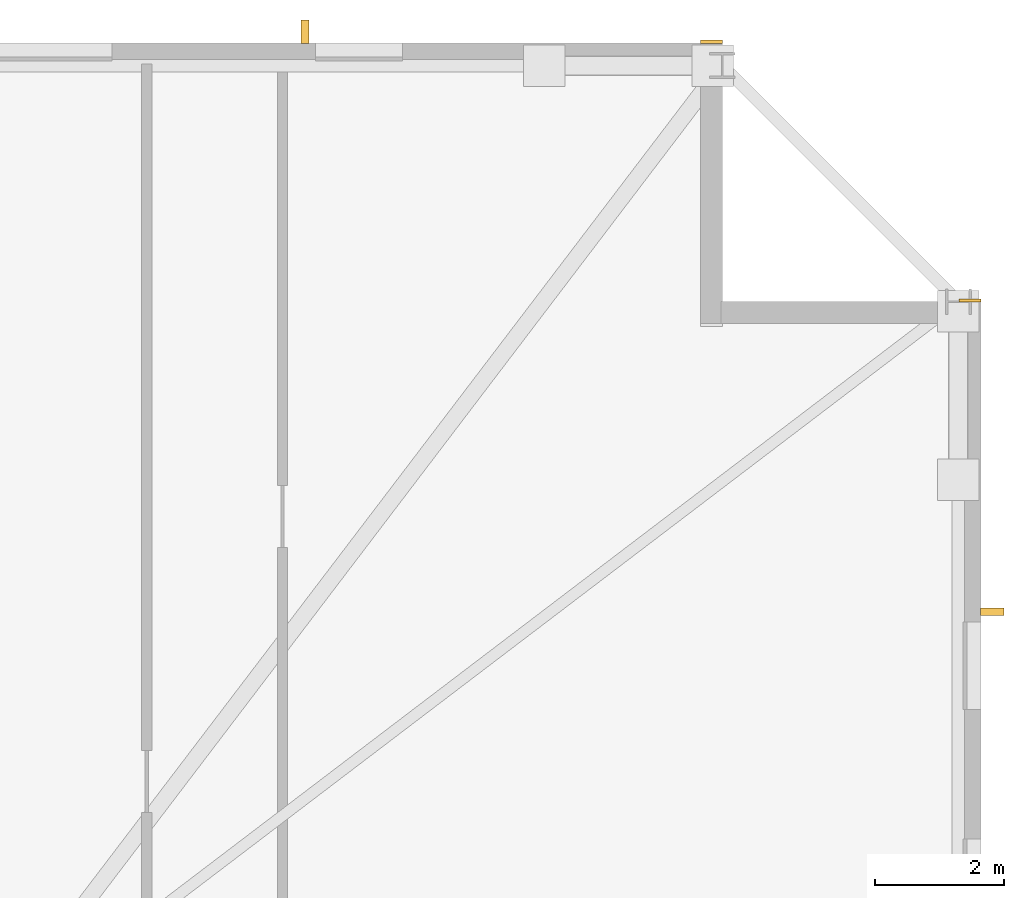
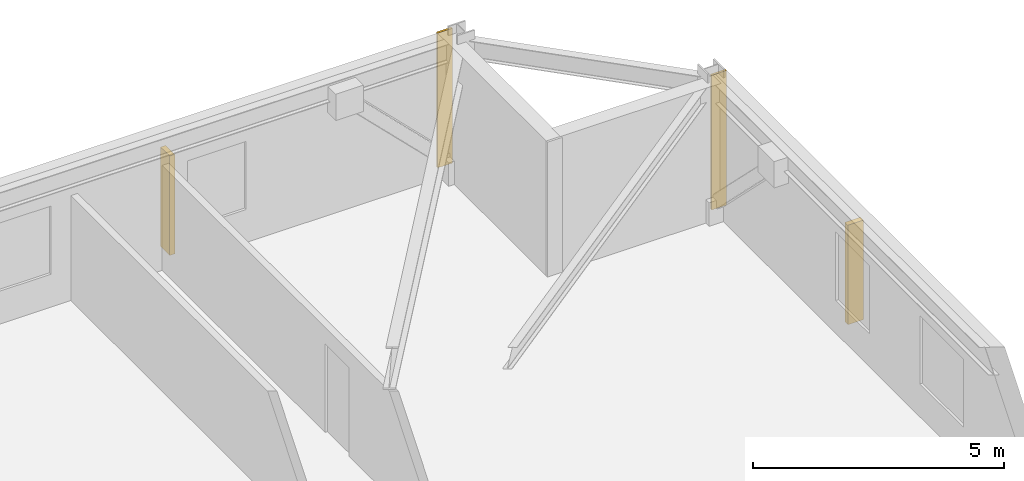
# One storey, part 11 of 11: 2 coverings, 2 shading devices.
"""IFC4 building model written with IfcOpenShell, lengths in metres."""

from ifc_helpers import new_model, si_unit, direction, frame, frame_2d, origin, origin_2d, place, context, subcontext, project, spatial, rectangle, extrude, material, layer, layer_set, type_object, element, save


model = new_model("IFC4")

# Units and contexts
model_context = context("Model", 3, precision=1e-05, world=origin(), true_north=direction((0.0, 1.0)))
body_context = subcontext(model_context, "Body", "Model", "MODEL_VIEW")
ifc_project = project(units=[si_unit("LENGTHUNIT", "METRE"), si_unit("AREAUNIT", "SQUARE_METRE"), si_unit("VOLUMEUNIT", "CUBIC_METRE"), si_unit("PLANEANGLEUNIT", "RADIAN"), si_unit("MASSUNIT", "GRAM", prefix="KILO")], contexts=[model_context])

# Site, building, storey
site_placement = place(None, origin())
site = spatial("IfcSite", under=ifc_project, at=site_placement, CompositionType="ELEMENT")
building_placement = place(site_placement, origin())
building = spatial("IfcBuilding", under=site, at=building_placement, Name="Cairnveth Concourse Tower", CompositionType="ELEMENT")
storey_placement = place(building_placement, frame((0.0, 0.0, 106.0)))
storey = spatial("IfcBuildingStorey", under=building, at=storey_placement, Name="L28", CompositionType="ELEMENT", Elevation=106.0)

# Coverings
ifc_material_1 = material(Name="Dressed Melbourne Bluestone Cladding", Category="masonry")
ifc_layer = layer(ifc_material_1, 0.050048828125)
ifc_layer_set = layer_set([ifc_layer], Name="Dressed Melbourne Bluestone Cladding")
covering_type = type_object("IfcCoveringType", Name="DRESSED BLUESTONE PLINTH CLADDING 50", PredefinedType="CLADDING", material=ifc_layer_set)
for number, where, z_axis, x_axis, name in (
    (1, (71.659912109375, 63.02001953125, 0.0), (0.0, 0.0, 1.0), (1.0, 0.0, 0.0), "Melbourne Bluestone Corner Quoin L28-388"),
    (2, (75.659912109375, 59.02001953125, 0.0), (0.0, 0.0, 1.0), (1.0, 0.0, 0.0), "Melbourne Bluestone Corner Quoin L28-390"),
):
    element("IfcCovering", number, at=place(storey_placement, frame(where, z_axis=z_axis, x_axis=x_axis)), inside=storey, type_object=covering_type, Name=name, PredefinedType="CLADDING", context=body_context, shape_type="SweptSolid", body=[
        extrude(rectangle(XDim=0.340087890625, YDim=0.050048828125, at=frame_2d((0.169921875, 0.0))), origin(), (0.0, 0.0, 1.0), 3.280029296875),
    ])

# Shading devices
ifc_material_2 = material(Name="Architectural Bronze Anodised Aluminium 6063-T6", Category="aluminium")
shading_device_type = type_object("IfcShadingDeviceType", Name="GOTHIC BRONZE VERTICAL LANCET FIN", PredefinedType="USERDEFINED", material=ifc_material_2)
for number, where, z_axis, x_axis, name in (
    (3, (65.548828125, 63.175048828125, 0.030029296875), (0.0, 0.0, 1.0), (1.0, 0.0, 0.0), "Gothic Bronze Vertical Fin L28-0-5"),
    (4, (76.175048828125, 54.208251953125, 0.030029296875), (0.0, 0.0, 1.0), (0.0, 1.0, 0.0), "Gothic Bronze Vertical Fin L28-3-1"),
):
    element("IfcShadingDevice", number, at=place(storey_placement, frame(where, z_axis=z_axis, x_axis=x_axis)), inside=storey, type_object=shading_device_type, Name=name, ObjectType="VERTICAL FIN", PredefinedType="USERDEFINED", context=body_context, shape_type="SweptSolid", body=[
        extrude(rectangle(XDim=0.1201171875, YDim=0.360107421875, at=origin_2d()), origin(), (0.0, 0.0, 1.0), 2.419921875),
    ])

save(model, "model.ifc")
